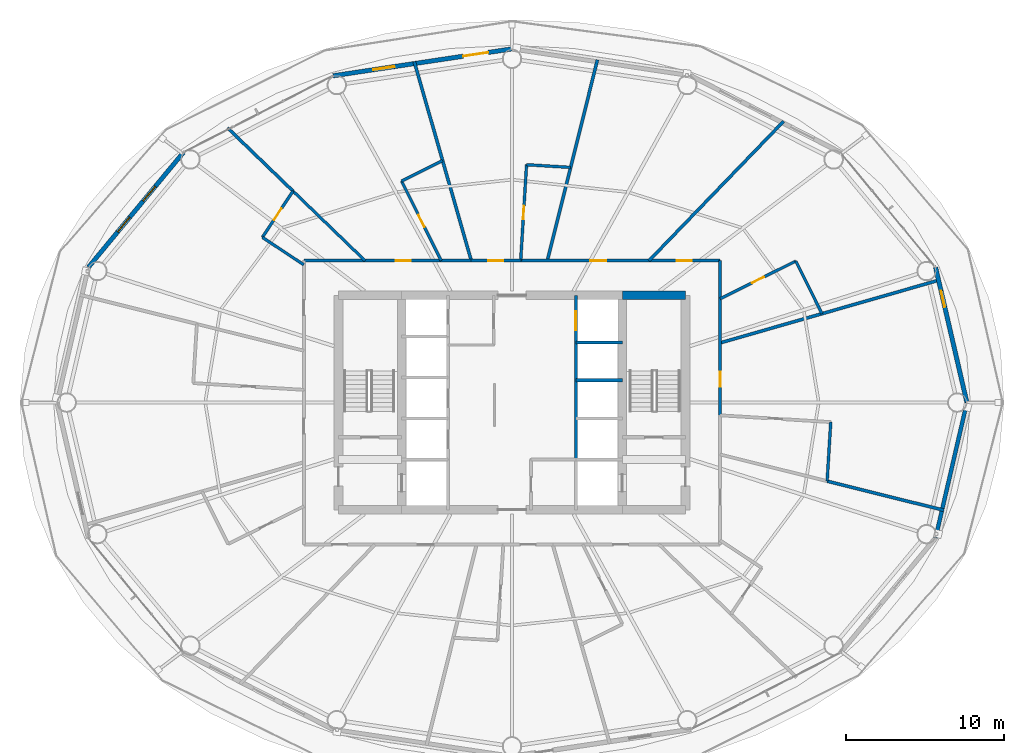
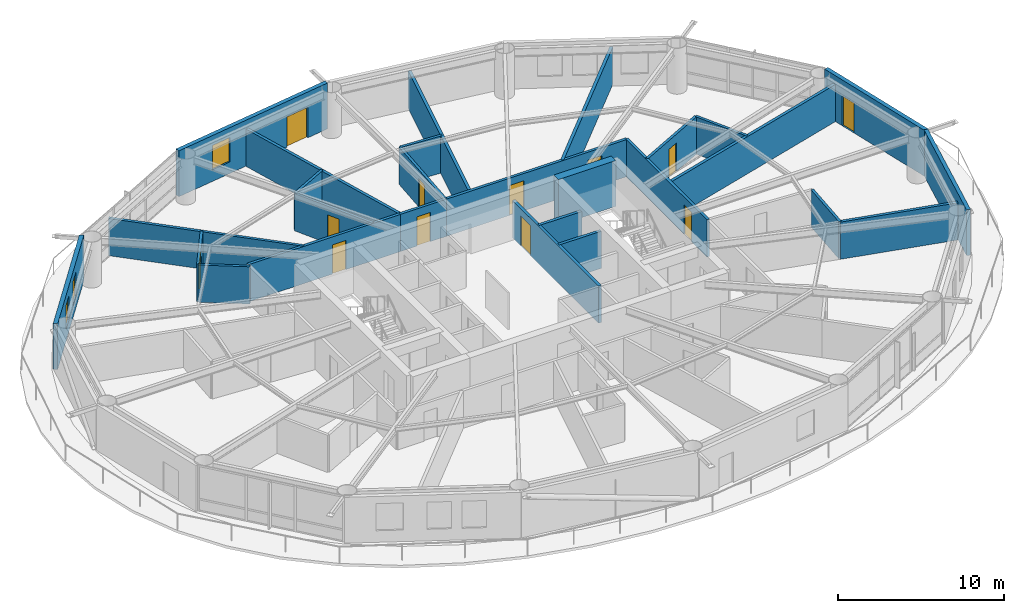
# One storey, part 20 of 24: 28 walls, 12 doors, 3 windows, 15 openings.
"""IFC4 building model written with IfcOpenShell, lengths in metres."""

from ifc_helpers import new_model, si_unit, direction, frame, frame_2d, origin, place, context, subcontext, project, spatial, rectangle, extrude, material, layer, layer_set, type_object, element, fill, save


model = new_model("IFC4")

# Units and contexts
model_context = context("Model", 3, precision=1e-05, world=origin(), true_north=direction((0.0, 1.0)))
body_context = subcontext(model_context, "Body", "Model", "MODEL_VIEW")
ifc_project = project(units=[si_unit("LENGTHUNIT", "METRE"), si_unit("AREAUNIT", "SQUARE_METRE"), si_unit("VOLUMEUNIT", "CUBIC_METRE"), si_unit("PLANEANGLEUNIT", "RADIAN"), si_unit("MASSUNIT", "GRAM", prefix="KILO")], contexts=[model_context])

# Site, building, storey
site_placement = place(None, origin())
site = spatial("IfcSite", under=ifc_project, at=site_placement, CompositionType="ELEMENT")
building_placement = place(site_placement, origin())
building = spatial("IfcBuilding", under=site, at=building_placement, Name="Sarneth Arch Tower", CompositionType="ELEMENT")
storey_placement = place(building_placement, frame((0.0, 0.0, 94.800048828125)))
storey = spatial("IfcBuildingStorey", under=building, at=storey_placement, Name="L23", CompositionType="ELEMENT", Elevation=94.800048828125)

# Wall
ifc_material_1 = material(Name="Concrete C60/75", Category="concrete")
ifc_layer_1 = layer(ifc_material_1, 0.550048828125)
ifc_layer_set_1 = layer_set([ifc_layer_1], Name="Concrete C60/75")
wall_type_1 = type_object("IfcWallType", Name="WALL-CORE-550", PredefinedType="SHEAR", material=ifc_layer_set_1)
wall_1_placement = place(storey_placement, frame((55.0, 48.800048828125, 0.0), z_axis=(0.0, 0.0, 1.0), x_axis=(1.0, 0.0, 0.0)))
element("IfcWall", 1, at=wall_1_placement, inside=storey, type_object=wall_type_1, Name="L23 Core shear wall N-E", PredefinedType="SHEAR", context=body_context, shape_type="SweptSolid", body=[
    extrude(rectangle(XDim=4.0, YDim=0.550048828125, at=frame_2d((2.0, 0.0))), origin(), (0.0, 0.0, 1.0), 3.3798828125),
])

# Wall, openings, doors
ifc_material_2 = material(Name="Double steel-stud corridor fire wall", Category="steel")
ifc_layer_2 = layer(ifc_material_2, 0.18994140625)
ifc_layer_set_2 = layer_set([ifc_layer_2], Name="Double steel-stud corridor fire wall")
wall_type_2 = type_object("IfcWallType", Name="WALL-CORR-190", PredefinedType="PARTITIONING", material=ifc_layer_set_2)
wall_2_placement = place(storey_placement, frame((48.518310546875, 51.0, 0.0), z_axis=(0.0, 0.0, 1.0), x_axis=(1.0, 0.0, 0.0)))
wall_2 = element("IfcWall", 2, at=wall_2_placement, inside=storey, type_object=wall_type_2, Name="L23 Interior partition W-L23-TP-004", PredefinedType="PARTITIONING", context=body_context, shape_type="SweptSolid", body=[
    extrude(rectangle(XDim=12.681640625, YDim=0.18994140625, at=frame_2d((6.3408203125, 0.0))), origin(), (0.0, 0.0, 1.0), 2.739990234375),
])
opening_1_placement = place(wall_2_placement, frame((4.455078125, 0.0, 0.0)))
opening_1 = element("IfcOpeningElement", 3, at=opening_1_placement, cuts=wall_2, Name="Opening FD-08", PredefinedType="OPENING", context=body_context, shape_type="SweptSolid", body=[
    extrude(rectangle(XDim=1.0, YDim=2.199951171875, at=frame_2d((0.5, 1.10009765625))), frame((0.0, 0.10498046875, 0.0), z_axis=(0.0, -1.0, 0.0), x_axis=(1.0, 0.0, 0.0)), (0.0, 0.0, 1.0), 0.2099609375),
])
opening_2_placement = place(wall_2_placement, frame((9.929931640625, 0.0, 0.0)))
opening_2 = element("IfcOpeningElement", 4, at=opening_2_placement, cuts=wall_2, Name="Opening FD-09", PredefinedType="OPENING", context=body_context, shape_type="SweptSolid", body=[
    extrude(rectangle(XDim=0.949951171875, YDim=2.14990234375, at=frame_2d((0.47509765625, 1.074951171875))), frame((0.0, 0.10498046875, 0.0), z_axis=(0.0, -1.0, 0.0), x_axis=(1.0, 0.0, 0.0)), (0.0, 0.0, 1.0), 0.2099609375),
])
ifc_material_3 = material(Name="Hardwood timber acoustic fire door", Category="wood")
door_type_1 = type_object("IfcDoorType", Name="DR-FD60-1000", OperationType="SINGLE_SWING_LEFT", PredefinedType="DOOR", material=ifc_material_3)
door_1_placement = place(opening_1_placement, origin())
door_1 = element("IfcDoor", 5, at=door_1_placement, inside=storey, type_object=door_type_1, Name="L23 Interior door DR-L23-AMN-02", OperationType="SINGLE_SWING_RIGHT", OverallHeight=2.199951171875, OverallWidth=1.0, PredefinedType="DOOR", context=body_context, shape_type="SweptSolid", body=[
    extrude(rectangle(XDim=1.0, YDim=2.199951171875, at=frame_2d((0.5, 1.10009765625))), frame((0.0, 0.02490234375, 0.0), z_axis=(0.0, -1.0, 0.0), x_axis=(1.0, 0.0, 0.0)), (0.0, 0.0, 1.0), 0.050048828125),
])
fill(opening_1, door_1)
ifc_material_4 = material(Name="Hardwood timber hotel entrance fire door", Category="wood")
door_type_2 = type_object("IfcDoorType", Name="DR-FD60-950", OperationType="SINGLE_SWING_RIGHT", PredefinedType="DOOR", material=ifc_material_4)
door_2_placement = place(opening_2_placement, origin())
door_2 = element("IfcDoor", 6, at=door_2_placement, inside=storey, type_object=door_type_2, Name="L23 Interior door DR-L23-KEY-01", OperationType="SINGLE_SWING_LEFT", OverallHeight=2.14990234375, OverallWidth=0.949951171875, PredefinedType="DOOR", context=body_context, shape_type="SweptSolid", body=[
    extrude(rectangle(XDim=0.949951171875, YDim=2.14990234375, at=frame_2d((0.47509765625, 1.074951171875))), frame((0.0, 0.02490234375, 0.0), z_axis=(0.0, -1.0, 0.0), x_axis=(1.0, 0.0, 0.0)), (0.0, 0.0, 1.0), 0.050048828125),
])
fill(opening_2, door_2)

# Wall, opening, door
wall_3_placement = place(storey_placement, frame((34.800048828125, 51.0, 0.0), z_axis=(0.0, 0.0, 1.0), x_axis=(1.0, 0.0, 0.0)))
wall_3 = element("IfcWall", 7, at=wall_3_placement, inside=storey, type_object=wall_type_2, Name="L23 Interior partition W-L23-TP-007", PredefinedType="PARTITIONING", context=body_context, shape_type="SweptSolid", body=[
    extrude(rectangle(XDim=10.652587890625, YDim=0.18994140625, at=frame_2d((5.326171875, 0.0))), origin(), (0.0, 0.0, 1.0), 2.739990234375),
])
opening_3_placement = place(wall_3_placement, frame((5.81640625, 0.0, 0.0)))
opening_3 = element("IfcOpeningElement", 8, at=opening_3_placement, cuts=wall_3, Name="Opening FD-09", PredefinedType="OPENING", context=body_context, shape_type="SweptSolid", body=[
    extrude(rectangle(XDim=0.949951171875, YDim=2.14990234375, at=frame_2d((0.47509765625, 1.074951171875))), frame((0.0, 0.10498046875, 0.0), z_axis=(0.0, -1.0, 0.0), x_axis=(1.0, 0.0, 0.0)), (0.0, 0.0, 1.0), 0.2099609375),
])
door_3_placement = place(opening_3_placement, origin())
door_3 = element("IfcDoor", 9, at=door_3_placement, inside=storey, type_object=door_type_2, Name="L23 Interior door DR-L23-KEY-04", OperationType="SINGLE_SWING_LEFT", OverallHeight=2.14990234375, OverallWidth=0.949951171875, PredefinedType="DOOR", context=body_context, shape_type="SweptSolid", body=[
    extrude(rectangle(XDim=0.949951171875, YDim=2.14990234375, at=frame_2d((0.47509765625, 1.074951171875))), frame((0.0, 0.02490234375, 0.0), z_axis=(0.0, -1.0, 0.0), x_axis=(1.0, 0.0, 0.0)), (0.0, 0.0, 1.0), 0.050048828125),
])
fill(opening_3, door_3)

wall_4_placement = place(storey_placement, frame((61.199951171875, 51.0, 0.0), z_axis=(0.0, 0.0, 1.0), x_axis=(0.0, -1.0, 0.0)))
wall_4 = element("IfcWall", 10, at=wall_4_placement, inside=storey, type_object=wall_type_2, Name="L23 Interior partition W-L23-TP-025", PredefinedType="PARTITIONING", context=body_context, shape_type="SweptSolid", body=[
    extrude(rectangle(XDim=9.83935546875, YDim=0.18994140625, at=frame_2d((4.919677734375, 0.0))), origin(), (0.0, 0.0, 1.0), 2.739990234375),
])
opening_4_placement = place(wall_4_placement, frame((7.035400390625, 0.0, 0.0)))
opening_4 = element("IfcOpeningElement", 11, at=opening_4_placement, cuts=wall_4, Name="Opening FD-09", PredefinedType="OPENING", context=body_context, shape_type="SweptSolid", body=[
    extrude(rectangle(XDim=0.949951171875, YDim=2.14990234375, at=frame_2d((0.47509765625, 1.074951171875))), frame((0.0, 0.10498046875, 0.0), z_axis=(0.0, -1.0, 0.0), x_axis=(1.0, 0.0, 0.0)), (0.0, 0.0, 1.0), 0.2099609375),
])
door_4_placement = place(opening_4_placement, origin())
door_4 = element("IfcDoor", 12, at=door_4_placement, inside=storey, type_object=door_type_2, Name="L23 Interior door DR-L23-KEY-12", OperationType="SINGLE_SWING_LEFT", OverallHeight=2.14990234375, OverallWidth=0.949951171875, PredefinedType="DOOR", context=body_context, shape_type="SweptSolid", body=[
    extrude(rectangle(XDim=0.949951171875, YDim=2.14990234375, at=frame_2d((0.47509765625, 1.074951171875))), frame((0.0, 0.02490234375, 0.0), z_axis=(0.0, -1.0, 0.0), x_axis=(1.0, 0.0, 0.0)), (0.0, 0.0, 1.0), 0.050048828125),
])
fill(opening_4, door_4)

wall_5_placement = place(storey_placement, frame((45.385986328125, 51.0, 0.0), z_axis=(0.0, 0.0, 1.0), x_axis=(1.0, 0.0, 0.0)))
wall_5 = element("IfcWall", 13, at=wall_5_placement, inside=storey, type_object=wall_type_2, Name="L23 Interior partition W-L23-TP-005", PredefinedType="PARTITIONING", context=body_context, shape_type="SweptSolid", body=[
    extrude(rectangle(XDim=3.196533203125, YDim=0.18994140625, at=frame_2d((1.59814453125, 0.0))), origin(), (0.0, 0.0, 1.0), 2.739990234375),
])
opening_5_placement = place(wall_5_placement, frame((1.123291015625, 0.0, 0.0)))
opening_5 = element("IfcOpeningElement", 14, at=opening_5_placement, cuts=wall_5, Name="Opening FD-09", PredefinedType="OPENING", context=body_context, shape_type="SweptSolid", body=[
    extrude(rectangle(XDim=0.949951171875, YDim=2.14990234375, at=frame_2d((0.47509765625, 1.074951171875))), frame((0.0, 0.10498046875, 0.0), z_axis=(0.0, -1.0, 0.0), x_axis=(1.0, 0.0, 0.0)), (0.0, 0.0, 1.0), 0.2099609375),
])
door_5_placement = place(opening_5_placement, origin())
door_5 = element("IfcDoor", 15, at=door_5_placement, inside=storey, type_object=door_type_2, Name="L23 Interior door DR-L23-KEY-03", OperationType="SINGLE_SWING_LEFT", OverallHeight=2.14990234375, OverallWidth=0.949951171875, PredefinedType="DOOR", context=body_context, shape_type="SweptSolid", body=[
    extrude(rectangle(XDim=0.949951171875, YDim=2.14990234375, at=frame_2d((0.47509765625, 1.074951171875))), frame((0.0, 0.02490234375, 0.0), z_axis=(0.0, -1.0, 0.0), x_axis=(1.0, 0.0, 0.0)), (0.0, 0.0, 1.0), 0.050048828125),
])
fill(opening_5, door_5)

# Wall
ifc_material_5 = material(Name="Extruded terracotta rainscreen on Concrete C40/50 backing", Category="masonry")
ifc_layer_3 = layer(ifc_material_5, 0.25)
ifc_layer_set_3 = layer_set([ifc_layer_3], Name="Extruded terracotta rainscreen on Concrete C40/50 backing")
wall_type_3 = type_object("IfcWallType", Name="WALL-EXT-SPAND-250", PredefinedType="SOLIDWALL", material=ifc_layer_set_3)
wall_6_placement = place(storey_placement, frame((74.861328125, 33.41650390625, 0.0), z_axis=(0.0, 0.0, 1.0), x_axis=(0.22558597182, 0.974223264616, 0.0)))
element("IfcWall", 16, at=wall_6_placement, inside=storey, type_object=wall_type_3, Name="L23 Terracotta perimeter wall 16", PredefinedType="SOLIDWALL", context=body_context, shape_type="SweptSolid", body=[
    extrude(rectangle(XDim=8.810546875, YDim=0.25, at=frame_2d((4.4052734375, 0.0))), origin(), (0.0, 0.0, 1.0), 3.3798828125),
])

# Wall, opening, door
ifc_material_6 = material(Name="Extruded terracotta rainscreen on Concrete C40/50 backing", Category="masonry")
ifc_layer_4 = layer(ifc_material_6, 0.280029296875)
ifc_layer_set_4 = layer_set([ifc_layer_4], Name="Extruded terracotta rainscreen on Concrete C40/50 backing")
wall_type_4 = type_object("IfcWallType", Name="WALL-EXT-TERRA-280", PredefinedType="SOLIDWALL", material=ifc_layer_set_4)
wall_7_placement = place(storey_placement, frame((76.848876953125, 42.0, 0.0), z_axis=(0.0, 0.0, 1.0), x_axis=(-0.22558597182, 0.974223264616, 0.0)))
wall_7 = element("IfcWall", 17, at=wall_7_placement, inside=storey, type_object=wall_type_4, Name="L23 Terracotta perimeter wall 01", PredefinedType="SOLIDWALL", context=body_context, shape_type="SweptSolid", body=[
    extrude(rectangle(XDim=8.810546875, YDim=0.280029296875, at=frame_2d((4.4052734375, 0.0))), origin(), (0.0, 0.0, 1.0), 3.3798828125),
])
opening_6_placement = place(wall_7_placement, frame((6.224609375, 0.0, 0.0)))
opening_6 = element("IfcOpeningElement", 18, at=opening_6_placement, cuts=wall_7, Name="Opening BD-4", PredefinedType="OPENING", context=body_context, shape_type="SweptSolid", body=[
    extrude(rectangle(XDim=1.050048828125, YDim=2.199951171875, at=frame_2d((0.52490234375, 1.10009765625))), frame((0.0, 0.14990234375, 0.0), z_axis=(0.0, -1.0, 0.0), x_axis=(1.0, 0.0, 0.0)), (0.0, 0.0, 1.0), 0.300048828125),
])
ifc_material_7 = material(Name="Thermally broken Aluminium 6063-T6 and laminated safety glass", Category="aluminium")
door_type_3 = type_object("IfcDoorType", Name="DR-BALC-GLZ-1050", OperationType="SINGLE_SWING_RIGHT", PredefinedType="DOOR", material=ifc_material_7)
door_6_placement = place(opening_6_placement, origin())
door_6 = element("IfcDoor", 19, at=door_6_placement, inside=storey, type_object=door_type_3, Name="L23 Balcony glazed door 01", OperationType="SINGLE_SWING_RIGHT", OverallHeight=2.199951171875, OverallWidth=1.050048828125, PredefinedType="DOOR", context=body_context, shape_type="SweptSolid", body=[
    extrude(rectangle(XDim=1.050048828125, YDim=2.199951171875, at=frame_2d((0.52490234375, 1.10009765625))), frame((0.0, 0.02490234375, 0.0), z_axis=(0.0, -1.0, 0.0), x_axis=(1.0, 0.0, 0.0)), (0.0, 0.0, 1.0), 0.050048828125),
])
fill(opening_6, door_6)

# Wall, openings, door, window
wall_8_placement = place(storey_placement, frame((48.0, 64.429931640625, 0.0), z_axis=(0.0, 0.0, 1.0), x_axis=(-0.988877774656, -0.148730450117, 0.0)))
wall_8 = element("IfcWall", 20, at=wall_8_placement, inside=storey, type_object=wall_type_4, Name="L23 Terracotta perimeter wall 05", PredefinedType="SOLIDWALL", context=body_context, shape_type="SweptSolid", body=[
    extrude(rectangle(XDim=11.47900390625, YDim=0.280029296875, at=frame_2d((5.739501953125, 0.0))), origin(), (0.0, 0.0, 1.0), 3.3798828125),
])
opening_7_placement = place(wall_8_placement, frame((1.523681640625, 0.0, 0.0)))
opening_7 = element("IfcOpeningElement", 21, at=opening_7_placement, cuts=wall_8, Name="Opening BD-1", PredefinedType="OPENING", context=body_context, shape_type="SweptSolid", body=[
    extrude(rectangle(XDim=1.60009765625, YDim=2.25, at=frame_2d((0.800048828125, 1.125))), frame((0.0, 0.14990234375, 0.0), z_axis=(0.0, -1.0, 0.0), x_axis=(1.0, 0.0, 0.0)), (0.0, 0.0, 1.0), 0.300048828125),
])
opening_8_placement = place(wall_8_placement, frame((7.5390625, 0.0, 0.85009765625)))
opening_8 = element("IfcOpeningElement", 22, at=opening_8_placement, cuts=wall_8, Name="Opening W-08", PredefinedType="OPENING", context=body_context, shape_type="SweptSolid", body=[
    extrude(rectangle(XDim=1.35009765625, YDim=1.800048828125, at=frame_2d((0.675048828125, 0.89990234375))), frame((0.0, 0.14990234375, 0.0), z_axis=(0.0, -1.0, 0.0), x_axis=(1.0, 0.0, 0.0)), (0.0, 0.0, 1.0), 0.300048828125),
])
ifc_material_8 = material(Name="Thermally broken Aluminium 6063-T6 and laminated safety glass", Category="aluminium")
door_type_4 = type_object("IfcDoorType", Name="DR-BALC-GLZ-1600", OperationType="DOUBLE_DOOR_SINGLE_SWING", PredefinedType="DOOR", material=ifc_material_8)
door_7_placement = place(opening_7_placement, origin())
door_7 = element("IfcDoor", 23, at=door_7_placement, inside=storey, type_object=door_type_4, Name="L23 Balcony glazed door 05", OperationType="DOUBLE_DOOR_SINGLE_SWING", OverallHeight=2.25, OverallWidth=1.60009765625, PredefinedType="DOOR", context=body_context, shape_type="SweptSolid", body=[
    extrude(rectangle(XDim=1.60009765625, YDim=2.25, at=frame_2d((0.800048828125, 1.125))), frame((0.0, 0.02490234375, 0.0), z_axis=(0.0, -1.0, 0.0), x_axis=(1.0, 0.0, 0.0)), (0.0, 0.0, 1.0), 0.050048828125),
])
fill(opening_7, door_7)
ifc_material_9 = material(Name="Thermally broken Aluminium 6063-T6 and low-e laminated IGU", Category="aluminium")
window_type_1 = type_object("IfcWindowType", Name="WIN-TWR-1350x1800", PartitioningType="SINGLE_PANEL", PredefinedType="WINDOW", material=ifc_material_9)
window_1_placement = place(opening_8_placement, origin())
window_1 = element("IfcWindow", 24, at=window_1_placement, inside=storey, type_object=window_type_1, Name="L23 Exterior window 05A", OverallHeight=1.800048828125, OverallWidth=1.35009765625, PartitioningType="SINGLE_PANEL", PredefinedType="WINDOW", context=body_context, shape_type="SweptSolid", body=[
    extrude(rectangle(XDim=1.35009765625, YDim=1.800048828125, at=frame_2d((0.675048828125, 0.89990234375))), frame((0.0, 0.030029296875, 0.0), z_axis=(0.0, -1.0, 0.0), x_axis=(1.0, 0.0, 0.0)), (0.0, 0.0, 1.0), 0.06005859375),
])
fill(opening_8, window_1)

# Wall, openings, windows
wall_9_placement = place(storey_placement, frame((27.159912109375, 57.8603515625, 0.0), z_axis=(0.0, 0.0, 1.0), x_axis=(-0.637505817448, -0.770445541696, 0.0)))
wall_9 = element("IfcWall", 25, at=wall_9_placement, inside=storey, type_object=wall_type_4, Name="L23 Terracotta perimeter wall 07", PredefinedType="SOLIDWALL", context=body_context, shape_type="SweptSolid", body=[
    extrude(rectangle(XDim=9.445068359375, YDim=0.280029296875, at=frame_2d((4.72265625, 0.0))), origin(), (0.0, 0.0, 1.0), 3.3798828125),
])
opening_9_placement = place(wall_9_placement, frame((2.796630859375, 0.0, 0.85009765625)))
opening_9 = element("IfcOpeningElement", 26, at=opening_9_placement, cuts=wall_9, Name="Opening W-09", PredefinedType="OPENING", context=body_context, shape_type="SweptSolid", body=[
    extrude(rectangle(XDim=1.199951171875, YDim=1.800048828125, at=frame_2d((0.60009765625, 0.89990234375))), frame((0.0, 0.14990234375, 0.0), z_axis=(0.0, -1.0, 0.0), x_axis=(1.0, 0.0, 0.0)), (0.0, 0.0, 1.0), 0.300048828125),
])
opening_10_placement = place(wall_9_placement, frame((5.331787109375, 0.0, 0.85009765625)))
opening_10 = element("IfcOpeningElement", 27, at=opening_10_placement, cuts=wall_9, Name="Opening W-09", PredefinedType="OPENING", context=body_context, shape_type="SweptSolid", body=[
    extrude(rectangle(XDim=1.199951171875, YDim=1.800048828125, at=frame_2d((0.60009765625, 0.89990234375))), frame((0.0, 0.14990234375, 0.0), z_axis=(0.0, -1.0, 0.0), x_axis=(1.0, 0.0, 0.0)), (0.0, 0.0, 1.0), 0.300048828125),
])
ifc_material_10 = material(Name="Thermally broken Aluminium 6063-T6 and low-e laminated IGU", Category="aluminium")
window_type_2 = type_object("IfcWindowType", Name="WIN-TWR-1200x1800", PartitioningType="SINGLE_PANEL", PredefinedType="WINDOW", material=ifc_material_10)
window_2_placement = place(opening_9_placement, origin())
window_2 = element("IfcWindow", 28, at=window_2_placement, inside=storey, type_object=window_type_2, Name="L23 Exterior window 07A", OverallHeight=1.800048828125, OverallWidth=1.199951171875, PartitioningType="SINGLE_PANEL", PredefinedType="WINDOW", context=body_context, shape_type="SweptSolid", body=[
    extrude(rectangle(XDim=1.199951171875, YDim=1.800048828125, at=frame_2d((0.60009765625, 0.89990234375))), frame((0.0, 0.030029296875, 0.0), z_axis=(0.0, -1.0, 0.0), x_axis=(1.0, 0.0, 0.0)), (0.0, 0.0, 1.0), 0.06005859375),
])
fill(opening_9, window_2)
window_3_placement = place(opening_10_placement, origin())
window_3 = element("IfcWindow", 29, at=window_3_placement, inside=storey, type_object=window_type_2, Name="L23 Exterior window 07B", OverallHeight=1.800048828125, OverallWidth=1.199951171875, PartitioningType="SINGLE_PANEL", PredefinedType="WINDOW", context=body_context, shape_type="SweptSolid", body=[
    extrude(rectangle(XDim=1.199951171875, YDim=1.800048828125, at=frame_2d((0.60009765625, 0.89990234375))), frame((0.0, 0.030029296875, 0.0), z_axis=(0.0, -1.0, 0.0), x_axis=(1.0, 0.0, 0.0)), (0.0, 0.0, 1.0), 0.06005859375),
])
fill(opening_10, window_3)

# Wall
ifc_material_11 = material(Name="Moisture-resistant plumbing chase wall", Category="gypsum")
ifc_layer_5 = layer(ifc_material_11, 0.179931640625)
ifc_layer_set_5 = layer_set([ifc_layer_5], Name="Moisture-resistant plumbing chase wall")
wall_type_5 = type_object("IfcWallType", Name="WALL-PLUMB-180", PredefinedType="PLUMBINGWALL", material=ifc_layer_set_5)
wall_10_placement = place(storey_placement, frame((34.111083984375, 55.41259765625, 0.0), z_axis=(0.0, 0.0, 1.0), x_axis=(0.719318009274, -0.694680935059, 0.0)))
element("IfcWall", 30, at=wall_10_placement, inside=storey, type_object=wall_type_5, Name="L23 Interior partition W-L23-TP-041", PredefinedType="PLUMBINGWALL", context=body_context, shape_type="SweptSolid", body=[
    extrude(rectangle(XDim=6.35205078125, YDim=0.179931640625, at=frame_2d((3.176025390625, 0.0))), origin(), (0.0, 0.0, 1.0), 2.739990234375),
])

# Wall, opening, door
wall_11_placement = place(storey_placement, frame((48.922607421875, 57.083740234375, 0.0), z_axis=(0.0, 0.0, 1.0), x_axis=(-0.061044096749, -0.998135070144, 0.0)))
wall_11 = element("IfcWall", 31, at=wall_11_placement, inside=storey, type_object=wall_type_5, Name="L23 Interior partition W-L23-TP-035", PredefinedType="PLUMBINGWALL", context=body_context, shape_type="SweptSolid", body=[
    extrude(rectangle(XDim=6.09521484375, YDim=0.179931640625, at=frame_2d((3.047607421875, 0.0))), origin(), (0.0, 0.0, 1.0), 2.739990234375),
])
opening_11_placement = place(wall_11_placement, frame((2.62255859375, 0.0, 0.0)))
opening_11 = element("IfcOpeningElement", 32, at=opening_11_placement, cuts=wall_11, Name="Opening ID-02", PredefinedType="OPENING", context=body_context, shape_type="SweptSolid", body=[
    extrude(rectangle(XDim=0.85009765625, YDim=2.10009765625, at=frame_2d((0.425048828125, 1.050048828125))), frame((0.0, 0.099853515625, 0.0), z_axis=(0.0, -1.0, 0.0), x_axis=(1.0, 0.0, 0.0)), (0.0, 0.0, 1.0), 0.199951171875),
])
ifc_material_12 = material(Name="Moisture-resistant bathroom timber door", Category="wood")
door_type_5 = type_object("IfcDoorType", Name="DR-INT-850", OperationType="SINGLE_SWING_RIGHT", PredefinedType="DOOR", material=ifc_material_12)
door_8_placement = place(opening_11_placement, origin())
door_8 = element("IfcDoor", 33, at=door_8_placement, inside=storey, type_object=door_type_5, Name="L23 Interior door DR-L23-ENS-03", OperationType="SINGLE_SWING_RIGHT", OverallHeight=2.10009765625, OverallWidth=0.85009765625, PredefinedType="DOOR", context=body_context, shape_type="SweptSolid", body=[
    extrude(rectangle(XDim=0.85009765625, YDim=2.10009765625, at=frame_2d((0.425048828125, 1.050048828125))), frame((0.0, 0.02490234375, 0.0), z_axis=(0.0, -1.0, 0.0), x_axis=(1.0, 0.0, 0.0)), (0.0, 0.0, 1.0), 0.050048828125),
])
fill(opening_11, door_8)

wall_12_placement = place(storey_placement, frame((40.99658203125, 56.046875, 0.0), z_axis=(0.0, 0.0, 1.0), x_axis=(0.446174269641, -0.894946099556, 0.0)))
wall_12 = element("IfcWall", 34, at=wall_12_placement, inside=storey, type_object=wall_type_5, Name="L23 Interior partition W-L23-TP-039", PredefinedType="PLUMBINGWALL", context=body_context, shape_type="SweptSolid", body=[
    extrude(rectangle(XDim=5.639404296875, YDim=0.179931640625, at=frame_2d((2.81982421875, 0.0))), origin(), (0.0, 0.0, 1.0), 2.739990234375),
])
opening_12_placement = place(wall_12_placement, frame((2.394775390625, 0.0, 0.0)))
opening_12 = element("IfcOpeningElement", 35, at=opening_12_placement, cuts=wall_12, Name="Opening ID-02", PredefinedType="OPENING", context=body_context, shape_type="SweptSolid", body=[
    extrude(rectangle(XDim=0.85009765625, YDim=2.10009765625, at=frame_2d((0.425048828125, 1.050048828125))), frame((0.0, 0.099853515625, 0.0), z_axis=(0.0, -1.0, 0.0), x_axis=(1.0, 0.0, 0.0)), (0.0, 0.0, 1.0), 0.199951171875),
])
door_9_placement = place(opening_12_placement, origin())
door_9 = element("IfcDoor", 36, at=door_9_placement, inside=storey, type_object=door_type_5, Name="L23 Interior door DR-L23-ENS-04", OperationType="SINGLE_SWING_RIGHT", OverallHeight=2.10009765625, OverallWidth=0.85009765625, PredefinedType="DOOR", context=body_context, shape_type="SweptSolid", body=[
    extrude(rectangle(XDim=0.85009765625, YDim=2.10009765625, at=frame_2d((0.425048828125, 1.050048828125))), frame((0.0, 0.02490234375, 0.0), z_axis=(0.0, -1.0, 0.0), x_axis=(1.0, 0.0, 0.0)), (0.0, 0.0, 1.0), 0.050048828125),
])
fill(opening_12, door_9)

wall_13_placement = place(storey_placement, frame((65.997802734375, 50.973388671875, 0.0), z_axis=(0.0, 0.0, 1.0), x_axis=(-0.894936648514, -0.446193226244, 0.0)))
wall_13 = element("IfcWall", 37, at=wall_13_placement, inside=storey, type_object=wall_type_5, Name="L23 Interior partition W-L23-TP-028", PredefinedType="PLUMBINGWALL", context=body_context, shape_type="SweptSolid", body=[
    extrude(rectangle(XDim=5.361083984375, YDim=0.179931640625, at=frame_2d((2.6806640625, 0.0))), origin(), (0.0, 0.0, 1.0), 2.739990234375),
])
opening_13_placement = place(wall_13_placement, frame((2.255615234375, 0.0, 0.0)))
opening_13 = element("IfcOpeningElement", 38, at=opening_13_placement, cuts=wall_13, Name="Opening ID-02", PredefinedType="OPENING", context=body_context, shape_type="SweptSolid", body=[
    extrude(rectangle(XDim=0.85009765625, YDim=2.10009765625, at=frame_2d((0.425048828125, 1.050048828125))), frame((0.0, 0.099853515625, 0.0), z_axis=(0.0, -1.0, 0.0), x_axis=(1.0, 0.0, 0.0)), (0.0, 0.0, 1.0), 0.199951171875),
])
door_10_placement = place(opening_13_placement, origin())
door_10 = element("IfcDoor", 39, at=door_10_placement, inside=storey, type_object=door_type_5, Name="L23 Interior door DR-L23-ENS-01", OperationType="SINGLE_SWING_LEFT", OverallHeight=2.10009765625, OverallWidth=0.85009765625, PredefinedType="DOOR", context=body_context, shape_type="SweptSolid", body=[
    extrude(rectangle(XDim=0.85009765625, YDim=2.10009765625, at=frame_2d((0.425048828125, 1.050048828125))), frame((0.0, 0.02490234375, 0.0), z_axis=(0.0, -1.0, 0.0), x_axis=(1.0, 0.0, 0.0)), (0.0, 0.0, 1.0), 0.050048828125),
])
fill(opening_13, door_10)

# Walls
wall_14_placement = place(storey_placement, frame((68.213134765625, 40.763671875, 0.0), z_axis=(0.0, 0.0, 1.0), x_axis=(-0.061013519028, -0.998136939751, 0.0)))
element("IfcWall", 40, at=wall_14_placement, inside=storey, type_object=wall_type_5, Name="L23 Interior partition W-L23-TP-068", PredefinedType="PLUMBINGWALL", context=body_context, shape_type="SweptSolid", body=[
    extrude(rectangle(XDim=3.75341796875, YDim=0.179931640625, at=frame_2d((1.876708984375, 0.0))), origin(), (0.0, 0.0, 1.0), 2.739990234375),
])
wall_15_placement = place(storey_placement, frame((67.6611328125, 47.6376953125, 0.0), z_axis=(0.0, 0.0, 1.0), x_axis=(-0.446243949247, 0.894911357488, 0.0)))
element("IfcWall", 41, at=wall_15_placement, inside=storey, type_object=wall_type_5, Name="L23 Interior partition W-L23-TP-027", PredefinedType="PLUMBINGWALL", context=body_context, shape_type="SweptSolid", body=[
    extrude(rectangle(XDim=3.727294921875, YDim=0.179931640625, at=frame_2d((1.86376953125, 0.0))), origin(), (0.0, 0.0, 1.0), 2.739990234375),
])

# Wall, opening, door
wall_16_placement = place(storey_placement, frame((32.1689453125, 52.478515625, 0.0), z_axis=(0.0, 0.0, 1.0), x_axis=(0.551959146688, 0.833871153349, 0.0)))
wall_16 = element("IfcWall", 42, at=wall_16_placement, inside=storey, type_object=wall_type_5, Name="L23 Interior partition W-L23-TP-043", PredefinedType="PLUMBINGWALL", context=body_context, shape_type="SweptSolid", body=[
    extrude(rectangle(XDim=3.5185546875, YDim=0.179931640625, at=frame_2d((1.75927734375, 0.0))), origin(), (0.0, 0.0, 1.0), 2.739990234375),
])
opening_14_placement = place(wall_16_placement, frame((1.334228515625, 0.0, 0.0)))
opening_14 = element("IfcOpeningElement", 43, at=opening_14_placement, cuts=wall_16, Name="Opening ID-02", PredefinedType="OPENING", context=body_context, shape_type="SweptSolid", body=[
    extrude(rectangle(XDim=0.85009765625, YDim=2.10009765625, at=frame_2d((0.425048828125, 1.050048828125))), frame((0.0, 0.099853515625, 0.0), z_axis=(0.0, -1.0, 0.0), x_axis=(1.0, 0.0, 0.0)), (0.0, 0.0, 1.0), 0.199951171875),
])
door_11_placement = place(opening_14_placement, origin())
door_11 = element("IfcDoor", 44, at=door_11_placement, inside=storey, type_object=door_type_5, Name="L23 Interior door DR-L23-ENS-05", OperationType="SINGLE_SWING_RIGHT", OverallHeight=2.10009765625, OverallWidth=0.85009765625, PredefinedType="DOOR", context=body_context, shape_type="SweptSolid", body=[
    extrude(rectangle(XDim=0.85009765625, YDim=2.10009765625, at=frame_2d((0.425048828125, 1.050048828125))), frame((0.0, 0.02490234375, 0.0), z_axis=(0.0, -1.0, 0.0), x_axis=(1.0, 0.0, 0.0)), (0.0, 0.0, 1.0), 0.050048828125),
])
fill(opening_14, door_11)

# Walls
wall_17_placement = place(storey_placement, frame((34.800048828125, 50.73681640625, 0.0), z_axis=(0.0, 0.0, 1.0), x_axis=(-0.833855219674, 0.5519832177, 0.0)))
element("IfcWall", 45, at=wall_17_placement, inside=storey, type_object=wall_type_5, Name="L23 Interior partition W-L23-TP-042", PredefinedType="PLUMBINGWALL", context=body_context, shape_type="SweptSolid", body=[
    extrude(rectangle(XDim=3.1552734375, YDim=0.179931640625, at=frame_2d((1.57763671875, 0.0))), origin(), (0.0, 0.0, 1.0), 2.739990234375),
])
wall_18_placement = place(storey_placement, frame((43.599853515625, 57.344970703125, 0.0), z_axis=(0.0, 0.0, 1.0), x_axis=(-0.894913437672, -0.446239777558, 0.0)))
element("IfcWall", 46, at=wall_18_placement, inside=storey, type_object=wall_type_5, Name="L23 Interior partition W-L23-TP-038", PredefinedType="PLUMBINGWALL", context=body_context, shape_type="SweptSolid", body=[
    extrude(rectangle(XDim=2.908935546875, YDim=0.179931640625, at=frame_2d((1.45458984375, 0.0))), origin(), (0.0, 0.0, 1.0), 2.739990234375),
])
wall_19_placement = place(storey_placement, frame((51.71826171875, 56.912841796875, 0.0), z_axis=(0.0, 0.0, 1.0), x_axis=(-0.998136779925, 0.061016133608, 0.0)))
element("IfcWall", 47, at=wall_19_placement, inside=storey, type_object=wall_type_5, Name="L23 Interior partition W-L23-TP-034", PredefinedType="PLUMBINGWALL", context=body_context, shape_type="SweptSolid", body=[
    extrude(rectangle(XDim=2.80078125, YDim=0.179931640625, at=frame_2d((1.400390625, 0.0))), origin(), (0.0, 0.0, 1.0), 2.739990234375),
])

# Wall, opening, door
ifc_material_13 = material(Name="Aerated concrete blockwork C25/30", Category="masonry")
ifc_layer_6 = layer(ifc_material_13, 0.199951171875)
ifc_layer_set_6 = layer_set([ifc_layer_6], Name="Aerated concrete blockwork C25/30")
wall_type_6 = type_object("IfcWallType", Name="WALL-SHAFT-200", PredefinedType="SOLIDWALL", material=ifc_layer_set_6)
wall_20_placement = place(storey_placement, frame((52.050048828125, 38.39990234375, 0.0), z_axis=(0.0, 0.0, 1.0), x_axis=(0.0, 1.0, 0.0)))
wall_20 = element("IfcWall", 48, at=wall_20_placement, inside=storey, type_object=wall_type_6, Name="L23 Interior partition W-L23-EASTBANK-FRONT", PredefinedType="SOLIDWALL", context=body_context, shape_type="SweptSolid", body=[
    extrude(rectangle(XDim=10.400146484375, YDim=0.199951171875, at=frame_2d((5.2001953125, 0.0))), origin(), (0.0, 0.0, 1.0), 2.739990234375),
])
opening_15_placement = place(wall_20_placement, frame((8.199951171875, 0.0, 0.0)))
opening_15 = element("IfcOpeningElement", 49, at=opening_15_placement, cuts=wall_20, Name="Opening LD-2", PredefinedType="OPENING", context=body_context, shape_type="SweptSolid", body=[
    extrude(rectangle(XDim=1.199951171875, YDim=2.199951171875, at=frame_2d((0.60009765625, 1.10009765625))), frame((0.0, 0.10986328125, 0.0), z_axis=(0.0, -1.0, 0.0), x_axis=(1.0, 0.0, 0.0)), (0.0, 0.0, 1.0), 0.219970703125),
])
ifc_material_14 = material(Name="Brushed Stainless Steel 304 service lift door", Category="steel")
door_type_6 = type_object("IfcDoorType", Name="DR-LIFT-SLIDE-1200", OperationType="SLIDING_TO_RIGHT", PredefinedType="DOOR", material=ifc_material_14)
door_12_placement = place(opening_15_placement, origin())
door_12 = element("IfcDoor", 50, at=door_12_placement, inside=storey, type_object=door_type_6, Name="L23 Lift landing door DR-L23-LD-SL1", OperationType="SLIDING_TO_RIGHT", OverallHeight=2.199951171875, OverallWidth=1.199951171875, PredefinedType="DOOR", context=body_context, shape_type="SweptSolid", body=[
    extrude(rectangle(XDim=1.199951171875, YDim=2.199951171875, at=frame_2d((0.60009765625, 1.10009765625))), frame((0.0, 0.02490234375, 0.0), z_axis=(0.0, -1.0, 0.0), x_axis=(1.0, 0.0, 0.0)), (0.0, 0.0, 1.0), 0.050048828125),
])
fill(opening_15, door_12)

# Walls
for number, where, z_axis, x_axis, name in (
    (51, (52.050048828125, 43.419921875, 0.0), (0.0, 0.0, 1.0), (1.0, 0.0, 0.0), "L23 Interior partition W-L23-EB-DIV-4342"),
    (52, (52.050048828125, 45.800048828125, 0.0), (0.0, 0.0, 1.0), (1.0, 0.0, 0.0), "L23 Interior partition W-L23-EB-DIV-4580"),
):
    element("IfcWall", number, at=place(storey_placement, frame(where, z_axis=z_axis, x_axis=x_axis)), inside=storey, type_object=wall_type_6, Name=name, PredefinedType="SOLIDWALL", context=body_context, shape_type="SweptSolid", body=[
        extrude(rectangle(XDim=2.949951171875, YDim=0.199951171875, at=frame_2d((1.47509765625, 0.0))), origin(), (0.0, 0.0, 1.0), 2.739990234375),
    ])
ifc_material_15 = material(Name="Double steel-stud acoustic drywall", Category="steel")
ifc_layer_7 = layer(ifc_material_15, 0.199951171875)
ifc_layer_set_7 = layer_set([ifc_layer_7], Name="Double steel-stud acoustic drywall")
wall_type_7 = type_object("IfcWallType", Name="WALL-UNIT-200", PredefinedType="PARTITIONING", material=ifc_layer_set_7)
wall_21_placement = place(storey_placement, frame((65.228271484375, 59.840087890625, 0.0), z_axis=(0.0, 0.0, 1.0), x_axis=(-0.694672506389, -0.719326149161, 0.0)))
element("IfcWall", 53, at=wall_21_placement, inside=storey, type_object=wall_type_7, Name="L23 Interior partition W-L23-TP-029", PredefinedType="PARTITIONING", context=body_context, shape_type="SweptSolid", body=[
    extrude(rectangle(XDim=12.289306640625, YDim=0.199951171875, at=frame_2d((6.14453125, 0.0))), origin(), (0.0, 0.0, 1.0), 2.739990234375),
])
wall_22_placement = place(storey_placement, frame((61.199951171875, 45.784912109375, 0.0), z_axis=(0.0, 0.0, 1.0), x_axis=(0.961261030421, 0.275639676741, 0.0)))
element("IfcWall", 54, at=wall_22_placement, inside=storey, type_object=wall_type_7, Name="L23 Interior partition W-L23-TP-030", PredefinedType="PARTITIONING", context=body_context, shape_type="SweptSolid", body=[
    extrude(rectangle(XDim=14.53125, YDim=0.199951171875, at=frame_2d((7.265625, 0.0))), origin(), (0.0, 0.0, 1.0), 2.739990234375),
])
wall_23_placement = place(storey_placement, frame((75.390625, 35.1708984375, 0.0), z_axis=(0.0, 0.0, 1.0), x_axis=(-0.970302209845, 0.241895889938, 0.0)))
element("IfcWall", 55, at=wall_23_placement, inside=storey, type_object=wall_type_7, Name="L23 Interior partition W-L23-TP-065", PredefinedType="PARTITIONING", context=body_context, shape_type="SweptSolid", body=[
    extrude(rectangle(XDim=7.63330078125, YDim=0.199951171875, at=frame_2d((3.816650390625, 0.0))), origin(), (0.0, 0.0, 1.0), 2.739990234375),
])
wall_24_placement = place(storey_placement, frame((50.243896484375, 51.0, 0.0), z_axis=(0.0, 0.0, 1.0), x_axis=(0.241918476077, 0.970296578852, 0.0)))
element("IfcWall", 56, at=wall_24_placement, inside=storey, type_object=wall_type_7, Name="L23 Interior partition W-L23-TP-032", PredefinedType="PARTITIONING", context=body_context, shape_type="SweptSolid", body=[
    extrude(rectangle(XDim=13.12548828125, YDim=0.199951171875, at=frame_2d((6.562744140625, 0.0))), origin(), (0.0, 0.0, 1.0), 2.739990234375),
])
wall_25_placement = place(storey_placement, frame((45.419189453125, 51.0, 0.0), z_axis=(0.0, 0.0, 1.0), x_axis=(-0.275639731411, 0.961261014745, 0.0)))
element("IfcWall", 57, at=wall_25_placement, inside=storey, type_object=wall_type_7, Name="L23 Interior partition W-L23-TP-037", PredefinedType="PARTITIONING", context=body_context, shape_type="SweptSolid", body=[
    extrude(rectangle(XDim=13.12646484375, YDim=0.199951171875, at=frame_2d((6.563232421875, 0.0))), origin(), (0.0, 0.0, 1.0), 2.739990234375),
])
wall_26_placement = place(storey_placement, frame((29.958740234375, 59.422119140625, 0.0), z_axis=(0.0, 0.0, 1.0), x_axis=(0.719370121813, -0.694626970281, 0.0)))
element("IfcWall", 58, at=wall_26_placement, inside=storey, type_object=wall_type_7, Name="L23 Interior partition W-L23-TP-040", PredefinedType="PARTITIONING", context=body_context, shape_type="SweptSolid", body=[
    extrude(rectangle(XDim=5.772216796875, YDim=0.199951171875, at=frame_2d((2.88623046875, 0.0))), origin(), (0.0, 0.0, 1.0), 2.739990234375),
])

save(model, "model.ifc")
